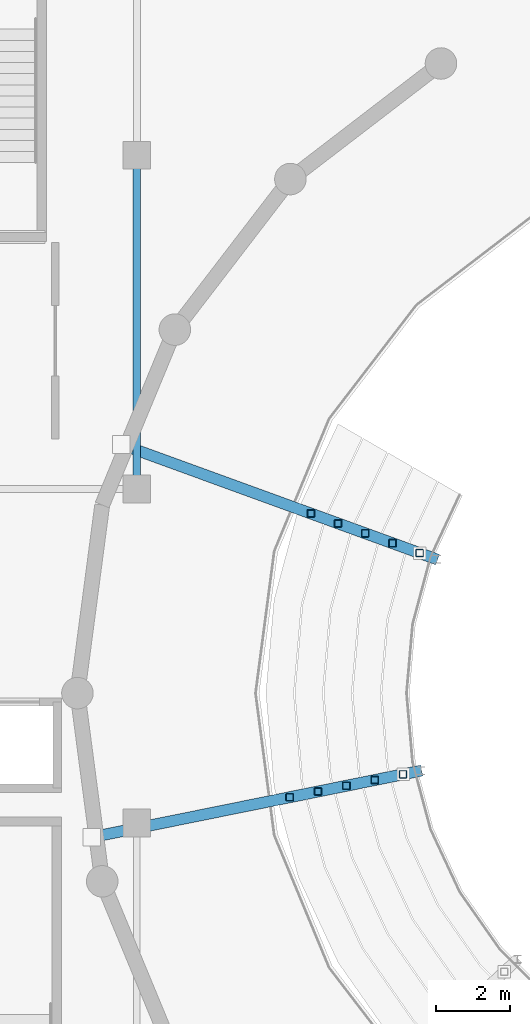
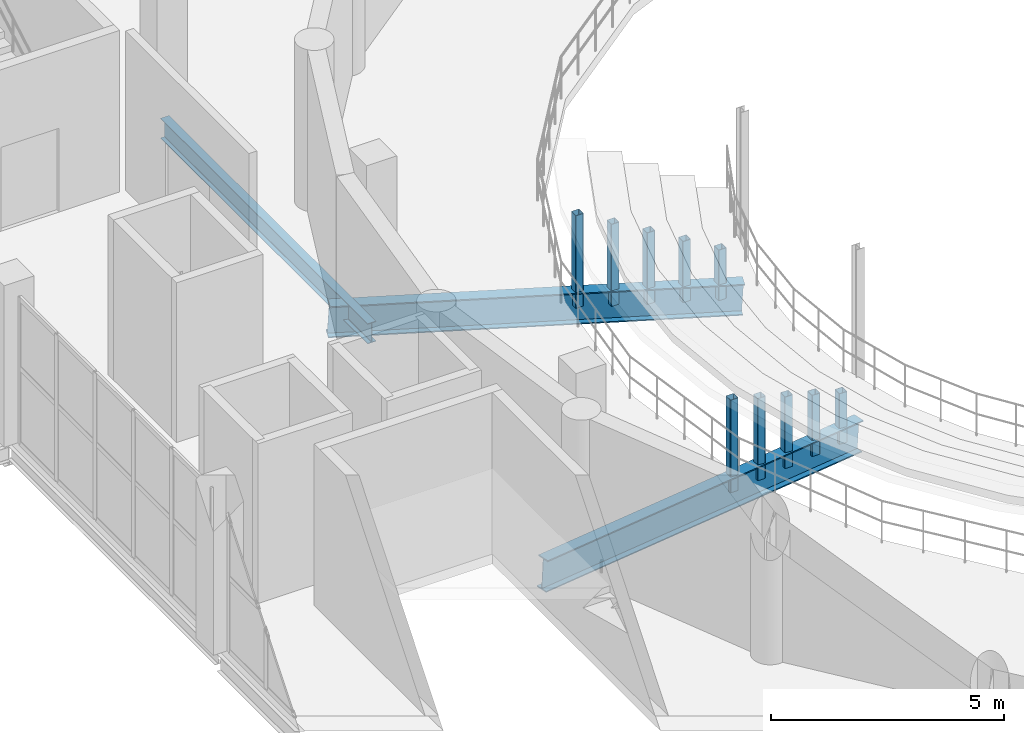
# One storey, part 33 of 85: 10 members, 3 beams.
"""IFC4 building model written with IfcOpenShell, lengths in metres."""

from ifc_helpers import new_model, si_unit, direction, frame, origin, origin_2d, place, context, subcontext, project, spatial, hollow_rectangle, i_section, extrude, material, material_profile, profile_set, type_object, element, save


model = new_model("IFC4")

# Units and contexts
model_context = context("Model", 3, precision=1e-05, world=origin(), true_north=direction((0.0, 1.0)))
body_context = subcontext(model_context, "Body", "Model", "MODEL_VIEW")
ifc_project = project(units=[si_unit("LENGTHUNIT", "METRE"), si_unit("AREAUNIT", "SQUARE_METRE"), si_unit("VOLUMEUNIT", "CUBIC_METRE"), si_unit("PLANEANGLEUNIT", "RADIAN"), si_unit("MASSUNIT", "GRAM", prefix="KILO")], contexts=[model_context])

# Site, building, storey
site_placement = place(None, origin())
site = spatial("IfcSite", under=ifc_project, at=site_placement, CompositionType="ELEMENT")
building_placement = place(site_placement, origin())
building = spatial("IfcBuilding", under=site, at=building_placement, Name="Marnock Terrace Opera House", CompositionType="ELEMENT")
storey_placement = place(building_placement, frame((0.0, 0.0, 10.199951171875)))
storey = spatial("IfcBuildingStorey", under=building, at=storey_placement, Name="L02", CompositionType="ELEMENT", Elevation=10.199951171875)

# Beams
ifc_material_1 = material(Name="Steel Grade 350 (AS/NZS 3679.1)", Category="steel")
ifc_material_profile_1 = material_profile(ifc_material_1, i_section(OverallWidth=0.208984375, OverallDepth=0.528076171875, WebThickness=0.009521484375, FlangeThickness=0.01318359375, FilletRadius=0.013916015625, at=origin_2d()))
ifc_profile_set_1 = profile_set([ifc_material_profile_1], Name="Steel Grade 350 (AS/NZS 3679.1)")
beam_type_1 = type_object("IfcBeamType", Name="BM-GIRD-530B", PredefinedType="BEAM", material=ifc_profile_set_1)
beam_1_placement = place(storey_placement, frame((64.0, 66.050048828125, -0.52392578125), z_axis=(0.0, 1.0, 0.0), x_axis=(-1.0, 0.0, 0.0)))
element("IfcBeam", 1, at=beam_1_placement, inside=storey, type_object=beam_type_1, Name="L02 girder (X=64.0, 66.0..75.0)", PredefinedType="BEAM", context=body_context, shape_type="SweptSolid", body=[
    extrude(i_section(OverallWidth=0.208984375, OverallDepth=0.528076171875, WebThickness=0.009521484375, FlangeThickness=0.01318359375, FilletRadius=0.013916015625, at=origin_2d()), origin(), (0.0, 0.0, 1.0), 8.89990234375),
])
ifc_material_2 = material(Name="Steel Grade 350 Welded (AS/NZS 3679.2)", Category="steel")
ifc_material_profile_2 = material_profile(ifc_material_2, i_section(OverallWidth=0.300048828125, OverallDepth=0.81591796875, WebThickness=0.013916015625, FlangeThickness=0.028076171875, at=origin_2d()))
ifc_profile_set_2 = profile_set([ifc_material_profile_2], Name="Steel Grade 350 Welded (AS/NZS 3679.2)")
beam_type_2 = type_object("IfcBeamType", Name="BM-RAKER-800", PredefinedType="BEAM", material=ifc_profile_set_2)
beam_2_placement = place(storey_placement, frame((72.086181640625, 64.1083984375, -1.218017578125), z_axis=(-0.938205492565, 0.341474154817, 0.056265933855), x_axis=(-0.342015970523, -0.939694139551, 0.0)))
element("IfcBeam", 2, at=beam_2_placement, inside=storey, type_object=beam_type_2, Name="L02 Auditorium raker girder 1", PredefinedType="BEAM", context=body_context, shape_type="SweptSolid", body=[
    extrude(i_section(OverallWidth=0.300048828125, OverallDepth=0.81591796875, WebThickness=0.013916015625, FlangeThickness=0.028076171875, at=origin_2d()), origin(), (0.0, 0.0, 1.0), 9.064208984375),
])
beam_3_placement = place(storey_placement, frame((71.6591796875, 58.40966796875, -1.218017578125), z_axis=(-0.978614945489, -0.197856150976, 0.056264837924), x_axis=(0.198170076298, -0.980167649364, 0.0)))
element("IfcBeam", 3, at=beam_3_placement, inside=storey, type_object=beam_type_2, Name="L02 Auditorium raker girder 2", PredefinedType="BEAM", context=body_context, shape_type="SweptSolid", body=[
    extrude(i_section(OverallWidth=0.300048828125, OverallDepth=0.81591796875, WebThickness=0.013916015625, FlangeThickness=0.028076171875, at=origin_2d()), origin(), (0.0, 0.0, 1.0), 9.064453125),
])

# Members
ifc_material_3 = material(Name="Cold-formed Steel Grade C350L0 (AS/NZS 1163)", Category="steel")
ifc_material_profile_3 = material_profile(ifc_material_3, hollow_rectangle(XDim=0.199951171875, YDim=0.199951171875, WallThickness=0.009033203125, InnerFilletRadius=0.009033203125, OuterFilletRadius=0.01806640625, at=origin_2d()))
ifc_profile_set_3 = profile_set([ifc_material_profile_3], Name="Cold-formed Steel Grade C350L0 (AS/NZS 1163)")
member_type = type_object("IfcMemberType", Name="MEM-TRUSS-WEB2", PredefinedType="BRACE", material=ifc_profile_set_3)
member_1_placement = place(storey_placement, frame((71.625732421875, 64.27587890625, -1.1904296875), z_axis=(0.0, 0.0, 1.0), x_axis=(1.0, 0.0, 0.0)))
element("IfcMember", 4, at=member_1_placement, inside=storey, type_object=member_type, Name="L02 Auditorium tier support post 1.1", PredefinedType="BRACE", context=body_context, shape_type="SweptSolid", body=[
    extrude(hollow_rectangle(XDim=0.199951171875, YDim=0.199951171875, WallThickness=0.009033203125, InnerFilletRadius=0.009033203125, OuterFilletRadius=0.01806640625, at=origin_2d()), origin(), (0.0, 0.0, 1.0), 1.325439453125),
])
member_2_placement = place(storey_placement, frame((70.892822265625, 64.542724609375, -1.146240234375), z_axis=(0.0, 0.0, 1.0), x_axis=(1.0, 0.0, 0.0)))
element("IfcMember", 5, at=member_2_placement, inside=storey, type_object=member_type, Name="L02 Auditorium tier support post 1.2", PredefinedType="BRACE", context=body_context, shape_type="SweptSolid", body=[
    extrude(hollow_rectangle(XDim=0.199951171875, YDim=0.199951171875, WallThickness=0.009033203125, InnerFilletRadius=0.009033203125, OuterFilletRadius=0.01806640625, at=origin_2d()), origin(), (0.0, 0.0, 1.0), 1.601318359375),
])
member_3_placement = place(storey_placement, frame((70.159912109375, 64.8095703125, -1.1025390625), z_axis=(0.0, 0.0, 1.0), x_axis=(1.0, 0.0, 0.0)))
element("IfcMember", 6, at=member_3_placement, inside=storey, type_object=member_type, Name="L02 Auditorium tier support post 1.3", PredefinedType="BRACE", context=body_context, shape_type="SweptSolid", body=[
    extrude(hollow_rectangle(XDim=0.199951171875, YDim=0.199951171875, WallThickness=0.009033203125, InnerFilletRadius=0.009033203125, OuterFilletRadius=0.01806640625, at=origin_2d()), origin(), (0.0, 0.0, 1.0), 1.877685546875),
])
member_4_placement = place(storey_placement, frame((69.427001953125, 65.076171875, -1.058349609375), z_axis=(0.0, 0.0, 1.0), x_axis=(1.0, 0.0, 0.0)))
element("IfcMember", 7, at=member_4_placement, inside=storey, type_object=member_type, Name="L02 Auditorium tier support post 1.4", PredefinedType="BRACE", context=body_context, shape_type="SweptSolid", body=[
    extrude(hollow_rectangle(XDim=0.199951171875, YDim=0.199951171875, WallThickness=0.009033203125, InnerFilletRadius=0.009033203125, OuterFilletRadius=0.01806640625, at=origin_2d()), origin(), (0.0, 0.0, 1.0), 2.1533203125),
])
member_5_placement = place(storey_placement, frame((68.694091796875, 65.343017578125, -1.0146484375), z_axis=(0.0, 0.0, 1.0), x_axis=(1.0, 0.0, 0.0)))
element("IfcMember", 8, at=member_5_placement, inside=storey, type_object=member_type, Name="L02 Auditorium tier support post 1.5", PredefinedType="BRACE", context=body_context, shape_type="SweptSolid", body=[
    extrude(hollow_rectangle(XDim=0.199951171875, YDim=0.199951171875, WallThickness=0.009033203125, InnerFilletRadius=0.009033203125, OuterFilletRadius=0.01806640625, at=origin_2d()), origin(), (0.0, 0.0, 1.0), 2.4296875),
])
member_6_placement = place(storey_placement, frame((71.178955078125, 58.3125, -1.1904296875), z_axis=(0.0, 0.0, 1.0), x_axis=(1.0, 0.0, 0.0)))
element("IfcMember", 9, at=member_6_placement, inside=storey, type_object=member_type, Name="L02 Auditorium tier support post 2.1", PredefinedType="BRACE", context=body_context, shape_type="SweptSolid", body=[
    extrude(hollow_rectangle(XDim=0.199951171875, YDim=0.199951171875, WallThickness=0.009033203125, InnerFilletRadius=0.009033203125, OuterFilletRadius=0.01806640625, at=origin_2d()), origin(), (0.0, 0.0, 1.0), 1.325439453125),
])
member_7_placement = place(storey_placement, frame((70.414306640625, 58.157958984375, -1.146240234375), z_axis=(0.0, 0.0, 1.0), x_axis=(1.0, 0.0, 0.0)))
element("IfcMember", 10, at=member_7_placement, inside=storey, type_object=member_type, Name="L02 Auditorium tier support post 2.2", PredefinedType="BRACE", context=body_context, shape_type="SweptSolid", body=[
    extrude(hollow_rectangle(XDim=0.199951171875, YDim=0.199951171875, WallThickness=0.009033203125, InnerFilletRadius=0.009033203125, OuterFilletRadius=0.01806640625, at=origin_2d()), origin(), (0.0, 0.0, 1.0), 1.601318359375),
])
member_8_placement = place(storey_placement, frame((69.64990234375, 58.00341796875, -1.1025390625), z_axis=(0.0, 0.0, 1.0), x_axis=(1.0, 0.0, 0.0)))
element("IfcMember", 11, at=member_8_placement, inside=storey, type_object=member_type, Name="L02 Auditorium tier support post 2.3", PredefinedType="BRACE", context=body_context, shape_type="SweptSolid", body=[
    extrude(hollow_rectangle(XDim=0.199951171875, YDim=0.199951171875, WallThickness=0.009033203125, InnerFilletRadius=0.009033203125, OuterFilletRadius=0.01806640625, at=origin_2d()), origin(), (0.0, 0.0, 1.0), 1.877685546875),
])
member_9_placement = place(storey_placement, frame((68.88525390625, 57.848876953125, -1.058349609375), z_axis=(0.0, 0.0, 1.0), x_axis=(1.0, 0.0, 0.0)))
element("IfcMember", 12, at=member_9_placement, inside=storey, type_object=member_type, Name="L02 Auditorium tier support post 2.4", PredefinedType="BRACE", context=body_context, shape_type="SweptSolid", body=[
    extrude(hollow_rectangle(XDim=0.199951171875, YDim=0.199951171875, WallThickness=0.009033203125, InnerFilletRadius=0.009033203125, OuterFilletRadius=0.01806640625, at=origin_2d()), origin(), (0.0, 0.0, 1.0), 2.1533203125),
])
member_10_placement = place(storey_placement, frame((68.120849609375, 57.6943359375, -1.0146484375), z_axis=(0.0, 0.0, 1.0), x_axis=(1.0, 0.0, 0.0)))
element("IfcMember", 13, at=member_10_placement, inside=storey, type_object=member_type, Name="L02 Auditorium tier support post 2.5", PredefinedType="BRACE", context=body_context, shape_type="SweptSolid", body=[
    extrude(hollow_rectangle(XDim=0.199951171875, YDim=0.199951171875, WallThickness=0.009033203125, InnerFilletRadius=0.009033203125, OuterFilletRadius=0.01806640625, at=origin_2d()), origin(), (0.0, 0.0, 1.0), 2.4296875),
])

save(model, "model.ifc")
